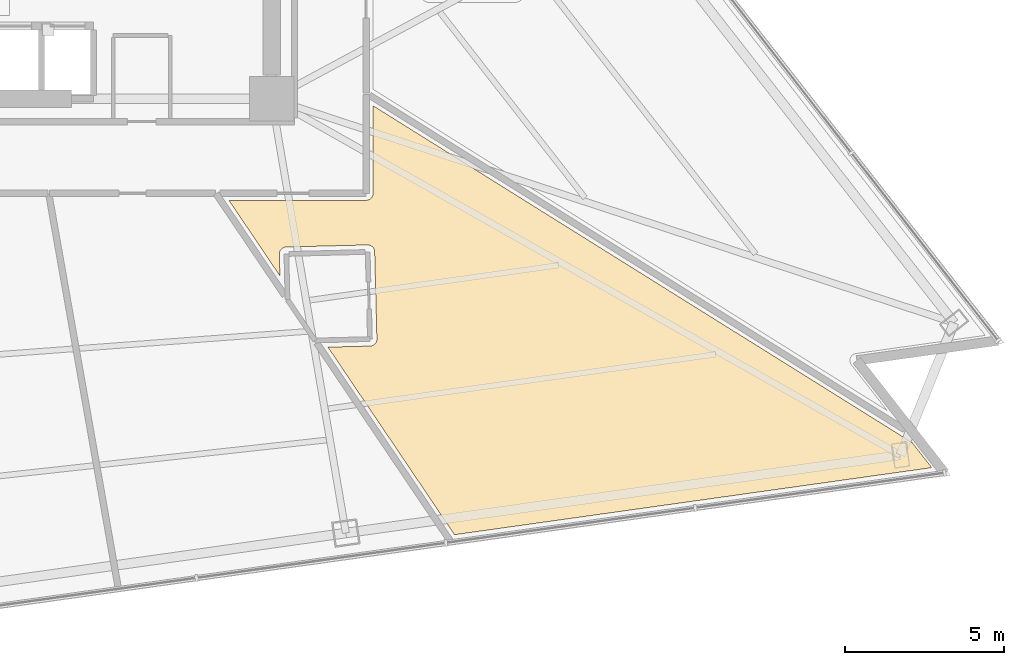
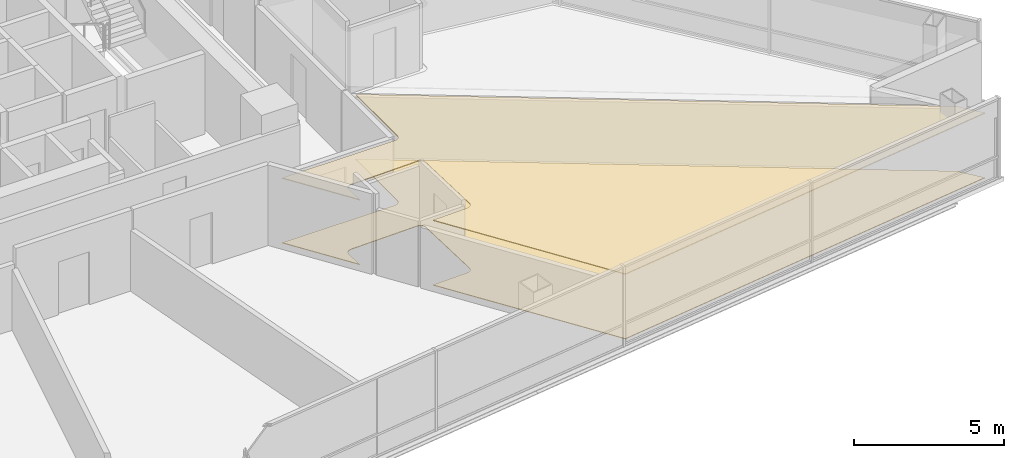
# One storey, part 13 of 15: 2 coverings.
"""IFC4 building model written with IfcOpenShell, lengths in metres."""

from ifc_helpers import new_model, si_unit, direction, frame, origin, place, context, subcontext, project, spatial, polyline, outline, extrude, material, layer, layer_set, type_object, element, save


model = new_model("IFC4")

# Units and contexts
model_context = context("Model", 3, precision=1e-05, world=origin(), true_north=direction((0.0, 1.0)))
body_context = subcontext(model_context, "Body", "Model", "MODEL_VIEW")
ifc_project = project(units=[si_unit("LENGTHUNIT", "METRE"), si_unit("AREAUNIT", "SQUARE_METRE"), si_unit("VOLUMEUNIT", "CUBIC_METRE"), si_unit("PLANEANGLEUNIT", "RADIAN"), si_unit("MASSUNIT", "GRAM", prefix="KILO")], contexts=[model_context])

# Site, building, storey
site_placement = place(None, origin())
site = spatial("IfcSite", under=ifc_project, at=site_placement, CompositionType="ELEMENT")
building_placement = place(site_placement, origin())
building = spatial("IfcBuilding", under=site, at=building_placement, Name="Tharavind Bronze Gate", CompositionType="ELEMENT")
storey_placement = place(building_placement, frame((0.0, 0.0, 67.300048828125)))
storey = spatial("IfcBuildingStorey", under=building, at=storey_placement, Name="L16", CompositionType="ELEMENT", Elevation=67.300048828125)

# Coverings
ifc_material_1 = material(Name="Engineered Oak & Carpet Tile", Category="wood")
ifc_layer_1 = layer(ifc_material_1, 0.02490234375)
ifc_layer_set_1 = layer_set([ifc_layer_1], Name="Engineered Oak & Carpet Tile")
covering_type_1 = type_object("IfcCoveringType", Name="ENGINEERED TIMBER FLOORING", PredefinedType="FLOORING", material=ifc_layer_set_1)
covering_1_placement = place(storey_placement, origin())
element("IfcCovering", 1, at=covering_1_placement, inside=storey, type_object=covering_type_1, Name="L16-RM-13 floor finish", PredefinedType="FLOORING", context=body_context, shape_type="SweptSolid", body=[
    extrude(outline(polyline([(9.160888671875, -13.18798828125), (9.14306640625, -12.5009765625), (9.143798828125, -12.4794921875), (9.146240234375, -12.4580078125), (9.15087890625, -12.43701171875), (9.15771484375, -12.41650390625), (9.16650390625, -12.396728515625), (9.177001953125, -12.3779296875), (9.189453125, -12.360107421875), (9.20361328125, -12.343994140625), (9.21923828125, -12.3291015625), (9.236083984375, -12.315673828125), (9.25439453125, -12.30419921875), (9.273681640625, -12.29443359375), (9.293701171875, -12.28662109375), (9.314697265625, -12.28076171875), (9.3359375, -12.277099609375), (9.357421875, -12.275390625), (11.921875, -12.20947265625), (11.943603515625, -12.2099609375), (11.96484375, -12.212646484375), (11.986083984375, -12.21728515625), (12.006591796875, -12.22412109375), (12.0263671875, -12.232666015625), (12.045166015625, -12.243408203125), (12.062744140625, -12.255859375), (12.0791015625, -12.269775390625), (12.093994140625, -12.285400390625), (12.107421875, -12.302490234375), (12.118896484375, -12.32080078125), (12.128662109375, -12.340087890625), (12.136474609375, -12.360107421875), (12.14208984375, -12.380859375), (12.14599609375, -12.402099609375), (12.1474609375, -12.423583984375), (12.21826171875, -15.1728515625), (12.2177734375, -15.1943359375), (12.215087890625, -15.2158203125), (12.21044921875, -15.23681640625), (12.20361328125, -15.25732421875), (12.195068359375, -15.277099609375), (12.184326171875, -15.2958984375), (12.171875, -15.313720703125), (12.157958984375, -15.330078125), (12.14208984375, -15.344970703125), (12.125244140625, -15.358154296875), (12.10693359375, -15.36962890625), (12.087646484375, -15.37939453125), (12.067626953125, -15.38720703125), (12.046875, -15.39306640625), (12.025390625, -15.396728515625), (12.00390625, -15.3984375), (10.6748046875, -15.4326171875), (14.666015625, -21.349853515625), (29.7197265625, -19.234375), (29.103271484375, -18.4453125), (12.10009765625, -7.8203125), (12.10009765625, -10.579345703125), (12.099609375, -10.590087890625), (12.099609375, -10.5908203125), (12.09765625, -10.6123046875), (12.093505859375, -10.63330078125), (12.087158203125, -10.654052734375), (12.078857421875, -10.674072265625), (12.068603515625, -10.693115234375), (12.056640625, -10.7109375), (12.04296875, -10.727783203125), (12.027587890625, -10.742919921875), (12.010986328125, -10.756591796875), (11.9931640625, -10.768798828125), (11.97412109375, -10.77880859375), (11.9541015625, -10.787109375), (11.933349609375, -10.79345703125), (11.912353515625, -10.797607421875), (11.890869140625, -10.7998046875), (11.89013671875, -10.7998046875), (11.87939453125, -10.800048828125), (7.550048828125, -10.800048828125), (9.160888671875, -13.18798828125)])), origin(), (0.0, 0.0, 1.0), 0.02490234375),
])
ifc_material_2 = material(Name="Acoustic Gypsum Board", Category="gypsum")
ifc_layer_2 = layer(ifc_material_2, 0.030029296875)
ifc_layer_set_2 = layer_set([ifc_layer_2], Name="Acoustic Gypsum Board")
covering_type_2 = type_object("IfcCoveringType", Name="GYPSUM SUSPENDED CEILING", PredefinedType="CEILING", material=ifc_layer_set_2)
covering_2_placement = place(storey_placement, frame((0.0, 0.0, 2.625)))
element("IfcCovering", 2, at=covering_2_placement, inside=storey, type_object=covering_type_2, Name="L16-RM-13 suspended ceiling", PredefinedType="CEILING", context=body_context, shape_type="SweptSolid", body=[
    extrude(outline(polyline([(9.160888671875, -13.18798828125), (9.14306640625, -12.5009765625), (9.143798828125, -12.4794921875), (9.146240234375, -12.4580078125), (9.15087890625, -12.43701171875), (9.15771484375, -12.41650390625), (9.16650390625, -12.396728515625), (9.177001953125, -12.3779296875), (9.189453125, -12.360107421875), (9.20361328125, -12.343994140625), (9.21923828125, -12.3291015625), (9.236083984375, -12.315673828125), (9.25439453125, -12.30419921875), (9.273681640625, -12.29443359375), (9.293701171875, -12.28662109375), (9.314697265625, -12.28076171875), (9.3359375, -12.277099609375), (9.357421875, -12.275390625), (11.921875, -12.20947265625), (11.943603515625, -12.2099609375), (11.96484375, -12.212646484375), (11.986083984375, -12.21728515625), (12.006591796875, -12.22412109375), (12.0263671875, -12.232666015625), (12.045166015625, -12.243408203125), (12.062744140625, -12.255859375), (12.0791015625, -12.269775390625), (12.093994140625, -12.285400390625), (12.107421875, -12.302490234375), (12.118896484375, -12.32080078125), (12.128662109375, -12.340087890625), (12.136474609375, -12.360107421875), (12.14208984375, -12.380859375), (12.14599609375, -12.402099609375), (12.1474609375, -12.423583984375), (12.21826171875, -15.1728515625), (12.2177734375, -15.1943359375), (12.215087890625, -15.2158203125), (12.21044921875, -15.23681640625), (12.20361328125, -15.25732421875), (12.195068359375, -15.277099609375), (12.184326171875, -15.2958984375), (12.171875, -15.313720703125), (12.157958984375, -15.330078125), (12.14208984375, -15.344970703125), (12.125244140625, -15.358154296875), (12.10693359375, -15.36962890625), (12.087646484375, -15.37939453125), (12.067626953125, -15.38720703125), (12.046875, -15.39306640625), (12.025390625, -15.396728515625), (12.00390625, -15.3984375), (10.6748046875, -15.4326171875), (14.666015625, -21.349853515625), (29.7197265625, -19.234375), (29.103271484375, -18.4453125), (12.10009765625, -7.8203125), (12.10009765625, -10.579345703125), (12.099609375, -10.590087890625), (12.099609375, -10.5908203125), (12.09765625, -10.6123046875), (12.093505859375, -10.63330078125), (12.087158203125, -10.654052734375), (12.078857421875, -10.674072265625), (12.068603515625, -10.693115234375), (12.056640625, -10.7109375), (12.04296875, -10.727783203125), (12.027587890625, -10.742919921875), (12.010986328125, -10.756591796875), (11.9931640625, -10.768798828125), (11.97412109375, -10.77880859375), (11.9541015625, -10.787109375), (11.933349609375, -10.79345703125), (11.912353515625, -10.797607421875), (11.890869140625, -10.7998046875), (11.89013671875, -10.7998046875), (11.87939453125, -10.800048828125), (7.550048828125, -10.800048828125), (9.160888671875, -13.18798828125)])), origin(), (0.0, 0.0, 1.0), 0.034912109375),
])

save(model, "model.ifc")
